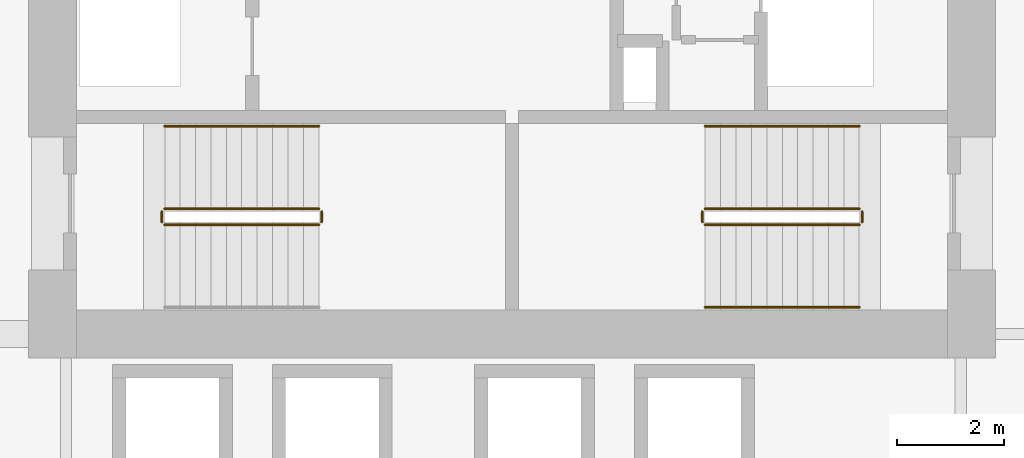
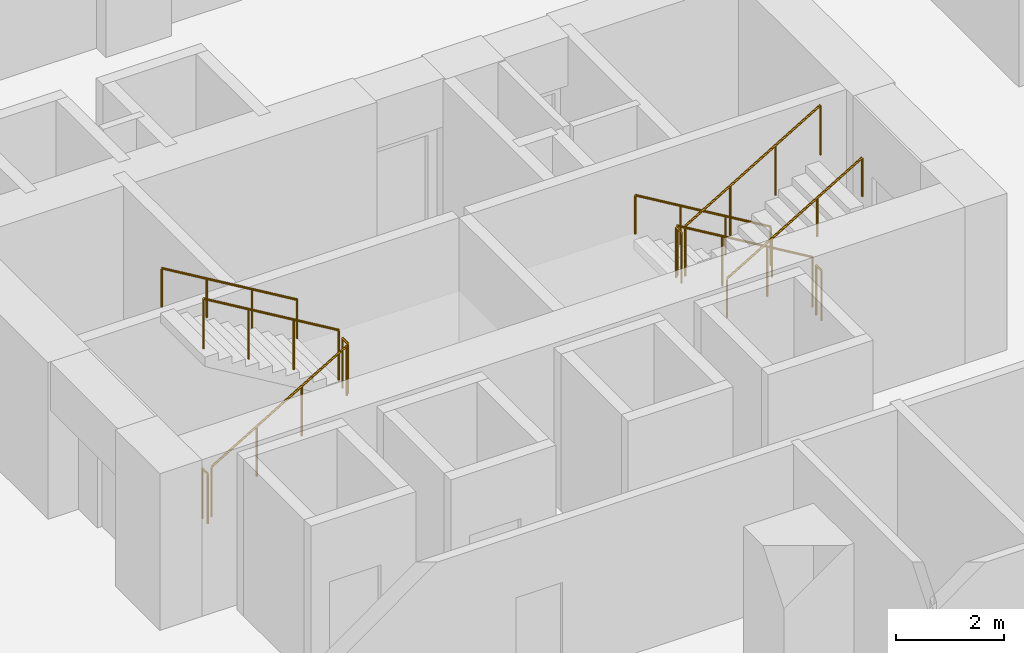
# One storey, part 18 of 20: 11 railings.
"""IFC4 building model written with IfcOpenShell, lengths in metres."""

from ifc_helpers import new_model, si_unit, direction, frame, origin, origin_2d, place, context, subcontext, project, spatial, circle, extrude, material, type_object, element, save


model = new_model("IFC4")

# Units and contexts
model_context = context("Model", 3, precision=1e-05, world=origin(), true_north=direction((0.0, 1.0)))
body_context = subcontext(model_context, "Body", "Model", "MODEL_VIEW")
ifc_project = project(units=[si_unit("LENGTHUNIT", "METRE"), si_unit("AREAUNIT", "SQUARE_METRE"), si_unit("VOLUMEUNIT", "CUBIC_METRE"), si_unit("PLANEANGLEUNIT", "RADIAN"), si_unit("MASSUNIT", "GRAM", prefix="KILO")], contexts=[model_context])

# Site, building, storey
site_placement = place(None, origin())
site = spatial("IfcSite", under=ifc_project, at=site_placement, CompositionType="ELEMENT")
building_placement = place(site_placement, origin())
building = spatial("IfcBuilding", under=site, at=building_placement, Name="Koriwani Terraces Tower", CompositionType="ELEMENT")
storey_placement = place(building_placement, frame((0.0, 0.0, 58.60009765625)))
storey = spatial("IfcBuildingStorey", under=building, at=storey_placement, Name="L13", CompositionType="ELEMENT", Elevation=58.60009765625)

# Railings
ifc_material = material(Name="Steel ASTM A572 Grade 50", Category="steel")
railing_type_1 = type_object("IfcRailingType", Name="GUARD_STAIR_WELL_1120", PredefinedType="GUARDRAIL", material=ifc_material)
railing_1_placement = place(storey_placement, frame((43.85009765625, 18.85009765625, 0.172607421875)))
element("IfcRailing", 1, at=railing_1_placement, inside=storey, type_object=railing_type_1, Name="L13 ST-E1 stair guard 1", PredefinedType="GUARDRAIL", context=body_context, shape_type="SweptSolid", body=[
    extrude(circle(Radius=0.02392578125, at=origin_2d()), frame((0.0, 0.0, 1.1259765625), z_axis=(0.859141464434, 0.0, 0.511738159696), x_axis=(0.0, 1.0, 0.0)), (0.0, 0.0, 1.0), 3.375244140625),
    extrude(circle(Radius=0.02099609375, at=origin_2d()), origin(), (0.0, 0.0, 1.0), 1.101806640625),
    extrude(circle(Radius=0.02099609375, at=origin_2d()), frame((0.966552734375, 0.0, 0.57568359375)), (0.0, 0.0, 1.0), 1.101806640625),
    extrude(circle(Radius=0.02099609375, at=origin_2d()), frame((1.933349609375, 0.0, 1.151611328125)), (0.0, 0.0, 1.0), 1.101806640625),
    extrude(circle(Radius=0.02099609375, at=origin_2d()), frame((2.89990234375, 0.0, 1.727294921875)), (0.0, 0.0, 1.0), 1.101806640625),
])
railing_2_placement = place(storey_placement, frame((46.800048828125, 18.89990234375, 1.89990234375)))
element("IfcRailing", 2, at=railing_2_placement, inside=storey, type_object=railing_type_1, Name="L13 ST-E1 stair guard 2", PredefinedType="GUARDRAIL", context=body_context, shape_type="SweptSolid", body=[
    extrude(circle(Radius=0.02392578125, at=origin_2d()), frame((0.0, 0.0, 1.1259765625), z_axis=(0.0, 1.0, 0.0), x_axis=(-1.0, 0.0, 0.0)), (0.0, 0.0, 1.0), 0.2001953125),
    extrude(circle(Radius=0.02099609375, at=origin_2d()), origin(), (0.0, 0.0, 1.0), 1.101806640625),
    extrude(circle(Radius=0.02099609375, at=origin_2d()), frame((0.0, 0.2001953125, 0.0)), (0.0, 0.0, 1.0), 1.101806640625),
])
railing_3_placement = place(storey_placement, frame((46.75, 19.14990234375, 2.072509765625)))
element("IfcRailing", 3, at=railing_3_placement, inside=storey, type_object=railing_type_1, Name="L13 ST-E1 stair guard 3", PredefinedType="GUARDRAIL", context=body_context, shape_type="SweptSolid", body=[
    extrude(circle(Radius=0.02392578125, at=origin_2d()), frame((0.0, 0.0, 1.1259765625), z_axis=(-0.859141464434, 0.0, 0.511738159696), x_axis=(0.0, -1.0, 0.0)), (0.0, 0.0, 1.0), 3.375244140625),
    extrude(circle(Radius=0.02099609375, at=origin_2d()), origin(), (0.0, 0.0, 1.0), 1.101806640625),
    extrude(circle(Radius=0.02099609375, at=origin_2d()), frame((-0.966552734375, 0.0, 0.57568359375)), (0.0, 0.0, 1.0), 1.101806640625),
    extrude(circle(Radius=0.02099609375, at=origin_2d()), frame((-1.933349609375, 0.0, 1.151611328125)), (0.0, 0.0, 1.0), 1.101806640625),
    extrude(circle(Radius=0.02099609375, at=origin_2d()), frame((-2.89990234375, 0.0, 1.727294921875)), (0.0, 0.0, 1.0), 1.101806640625),
])
railing_4_placement = place(storey_placement, frame((43.800048828125, 18.89990234375, 0.0)))
element("IfcRailing", 4, at=railing_4_placement, inside=storey, type_object=railing_type_1, Name="L13 ST-E1 stair guard 4", PredefinedType="GUARDRAIL", context=body_context, shape_type="SweptSolid", body=[
    extrude(circle(Radius=0.02392578125, at=origin_2d()), frame((0.0, 0.0, 1.1259765625), z_axis=(0.0, 1.0, 0.0), x_axis=(-1.0, 0.0, 0.0)), (0.0, 0.0, 1.0), 0.2001953125),
    extrude(circle(Radius=0.02099609375, at=origin_2d()), origin(), (0.0, 0.0, 1.0), 1.101806640625),
    extrude(circle(Radius=0.02099609375, at=origin_2d()), frame((0.0, 0.2001953125, 0.0)), (0.0, 0.0, 1.0), 1.101806640625),
])
railing_5_placement = place(storey_placement, frame((56.89990234375, 19.14990234375, 0.172607421875)))
element("IfcRailing", 5, at=railing_5_placement, inside=storey, type_object=railing_type_1, Name="L13 ST-E2 stair guard 1", PredefinedType="GUARDRAIL", context=body_context, shape_type="SweptSolid", body=[
    extrude(circle(Radius=0.02392578125, at=origin_2d()), frame((0.0, 0.0, 1.1259765625), z_axis=(-0.859141464434, 0.0, 0.511738159696), x_axis=(0.0, -1.0, 0.0)), (0.0, 0.0, 1.0), 3.375244140625),
    extrude(circle(Radius=0.02099609375, at=origin_2d()), origin(), (0.0, 0.0, 1.0), 1.101806640625),
    extrude(circle(Radius=0.02099609375, at=origin_2d()), frame((-0.966552734375, 0.0, 0.57568359375)), (0.0, 0.0, 1.0), 1.101806640625),
    extrude(circle(Radius=0.02099609375, at=origin_2d()), frame((-1.933349609375, 0.0, 1.151611328125)), (0.0, 0.0, 1.0), 1.101806640625),
    extrude(circle(Radius=0.02099609375, at=origin_2d()), frame((-2.89990234375, 0.0, 1.727294921875)), (0.0, 0.0, 1.0), 1.101806640625),
])
railing_6_placement = place(storey_placement, frame((53.949951171875, 19.10009765625, 1.89990234375)))
element("IfcRailing", 6, at=railing_6_placement, inside=storey, type_object=railing_type_1, Name="L13 ST-E2 stair guard 2", PredefinedType="GUARDRAIL", context=body_context, shape_type="SweptSolid", body=[
    extrude(circle(Radius=0.02392578125, at=origin_2d()), frame((0.0, 0.0, 1.1259765625), z_axis=(0.0, -1.0, 0.0), x_axis=(1.0, 0.0, 0.0)), (0.0, 0.0, 1.0), 0.2001953125),
    extrude(circle(Radius=0.02099609375, at=origin_2d()), origin(), (0.0, 0.0, 1.0), 1.101806640625),
    extrude(circle(Radius=0.02099609375, at=origin_2d()), frame((0.0, -0.2001953125, 0.0)), (0.0, 0.0, 1.0), 1.101806640625),
])
railing_7_placement = place(storey_placement, frame((54.0, 18.85009765625, 2.072509765625)))
element("IfcRailing", 7, at=railing_7_placement, inside=storey, type_object=railing_type_1, Name="L13 ST-E2 stair guard 3", PredefinedType="GUARDRAIL", context=body_context, shape_type="SweptSolid", body=[
    extrude(circle(Radius=0.02392578125, at=origin_2d()), frame((0.0, 0.0, 1.1259765625), z_axis=(0.859141464434, 0.0, 0.511738159696), x_axis=(0.0, 1.0, 0.0)), (0.0, 0.0, 1.0), 3.375244140625),
    extrude(circle(Radius=0.02099609375, at=origin_2d()), origin(), (0.0, 0.0, 1.0), 1.101806640625),
    extrude(circle(Radius=0.02099609375, at=origin_2d()), frame((0.966552734375, 0.0, 0.57568359375)), (0.0, 0.0, 1.0), 1.101806640625),
    extrude(circle(Radius=0.02099609375, at=origin_2d()), frame((1.933349609375, 0.0, 1.151611328125)), (0.0, 0.0, 1.0), 1.101806640625),
    extrude(circle(Radius=0.02099609375, at=origin_2d()), frame((2.89990234375, 0.0, 1.727294921875)), (0.0, 0.0, 1.0), 1.101806640625),
])
railing_8_placement = place(storey_placement, frame((56.949951171875, 19.10009765625, 0.0)))
element("IfcRailing", 8, at=railing_8_placement, inside=storey, type_object=railing_type_1, Name="L13 ST-E2 stair guard 4", PredefinedType="GUARDRAIL", context=body_context, shape_type="SweptSolid", body=[
    extrude(circle(Radius=0.02392578125, at=origin_2d()), frame((0.0, 0.0, 1.1259765625), z_axis=(0.0, -1.0, 0.0), x_axis=(1.0, 0.0, 0.0)), (0.0, 0.0, 1.0), 0.2001953125),
    extrude(circle(Radius=0.02099609375, at=origin_2d()), origin(), (0.0, 0.0, 1.0), 1.101806640625),
    extrude(circle(Radius=0.02099609375, at=origin_2d()), frame((0.0, -0.2001953125, 0.0)), (0.0, 0.0, 1.0), 1.101806640625),
])
railing_type_2 = type_object("IfcRailingType", Name="HANDRAIL_STAIR_920", PredefinedType="HANDRAIL", material=ifc_material)
for number, where, name in (
    (9, (46.75, 20.699951171875, 2.072509765625), "L13 ST-E1 stair handrail 2"),
    (10, (56.89990234375, 20.699951171875, 0.172607421875), "L13 ST-E2 stair handrail 1"),
):
    element("IfcRailing", number, at=place(storey_placement, frame(where)), inside=storey, type_object=railing_type_2, Name=name, PredefinedType="HANDRAIL", context=body_context, shape_type="SweptSolid", body=[
        extrude(circle(Radius=0.02392578125, at=origin_2d()), frame((0.0, 0.0, 0.8759765625), z_axis=(-0.859141464434, 0.0, 0.511738159696), x_axis=(0.0, -1.0, 0.0)), (0.0, 0.0, 1.0), 3.375244140625),
        extrude(circle(Radius=0.02099609375, at=origin_2d()), origin(), (0.0, 0.0, 1.0), 0.851806640625),
        extrude(circle(Radius=0.02099609375, at=origin_2d()), frame((-0.966552734375, 0.0, 0.57568359375)), (0.0, 0.0, 1.0), 0.851806640625),
        extrude(circle(Radius=0.02099609375, at=origin_2d()), frame((-1.933349609375, 0.0, 1.151611328125)), (0.0, 0.0, 1.0), 0.851806640625),
        extrude(circle(Radius=0.02099609375, at=origin_2d()), frame((-2.89990234375, 0.0, 1.727294921875)), (0.0, 0.0, 1.0), 0.851806640625),
    ])
railing_9_placement = place(storey_placement, frame((54.0, 17.300048828125, 2.072509765625)))
element("IfcRailing", 11, at=railing_9_placement, inside=storey, type_object=railing_type_2, Name="L13 ST-E2 stair handrail 2", PredefinedType="HANDRAIL", context=body_context, shape_type="SweptSolid", body=[
    extrude(circle(Radius=0.02392578125, at=origin_2d()), frame((0.0, 0.0, 0.8759765625), z_axis=(0.859141464434, 0.0, 0.511738159696), x_axis=(0.0, 1.0, 0.0)), (0.0, 0.0, 1.0), 3.375244140625),
    extrude(circle(Radius=0.02099609375, at=origin_2d()), origin(), (0.0, 0.0, 1.0), 0.851806640625),
    extrude(circle(Radius=0.02099609375, at=origin_2d()), frame((0.966552734375, 0.0, 0.57568359375)), (0.0, 0.0, 1.0), 0.851806640625),
    extrude(circle(Radius=0.02099609375, at=origin_2d()), frame((1.933349609375, 0.0, 1.151611328125)), (0.0, 0.0, 1.0), 0.851806640625),
    extrude(circle(Radius=0.02099609375, at=origin_2d()), frame((2.89990234375, 0.0, 1.727294921875)), (0.0, 0.0, 1.0), 0.851806640625),
])

save(model, "model.ifc")
